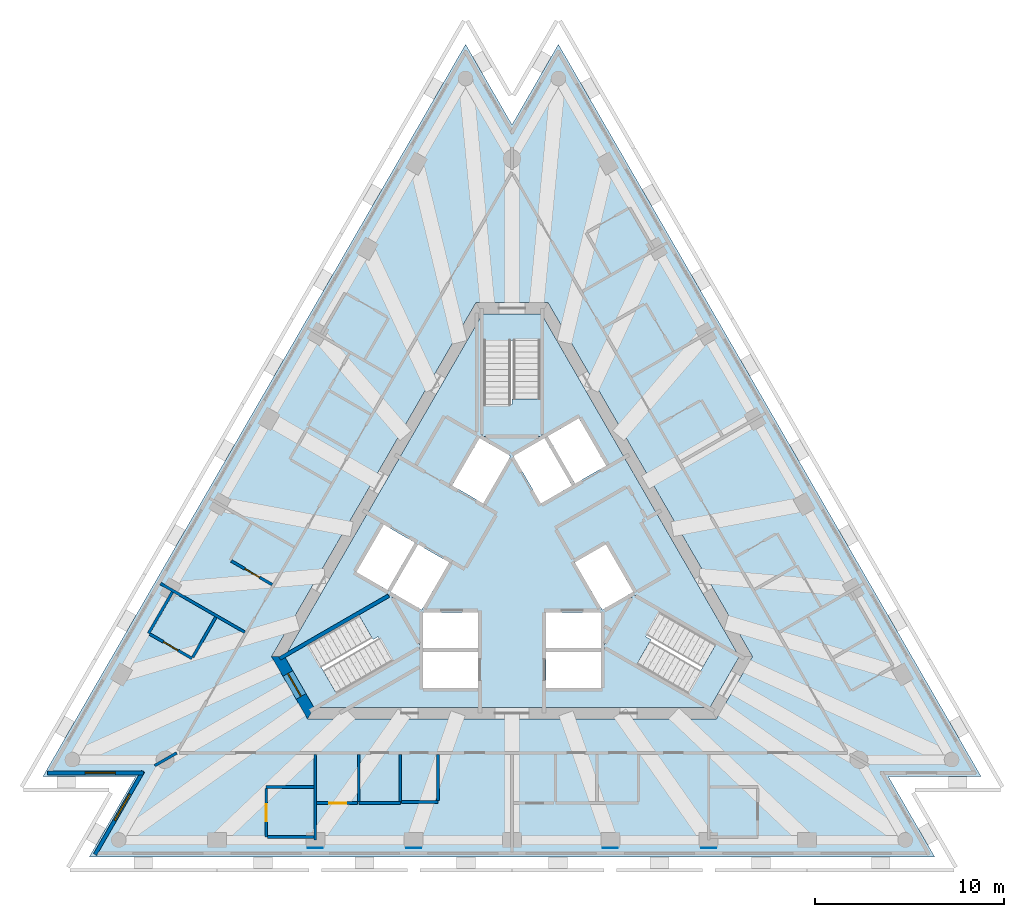
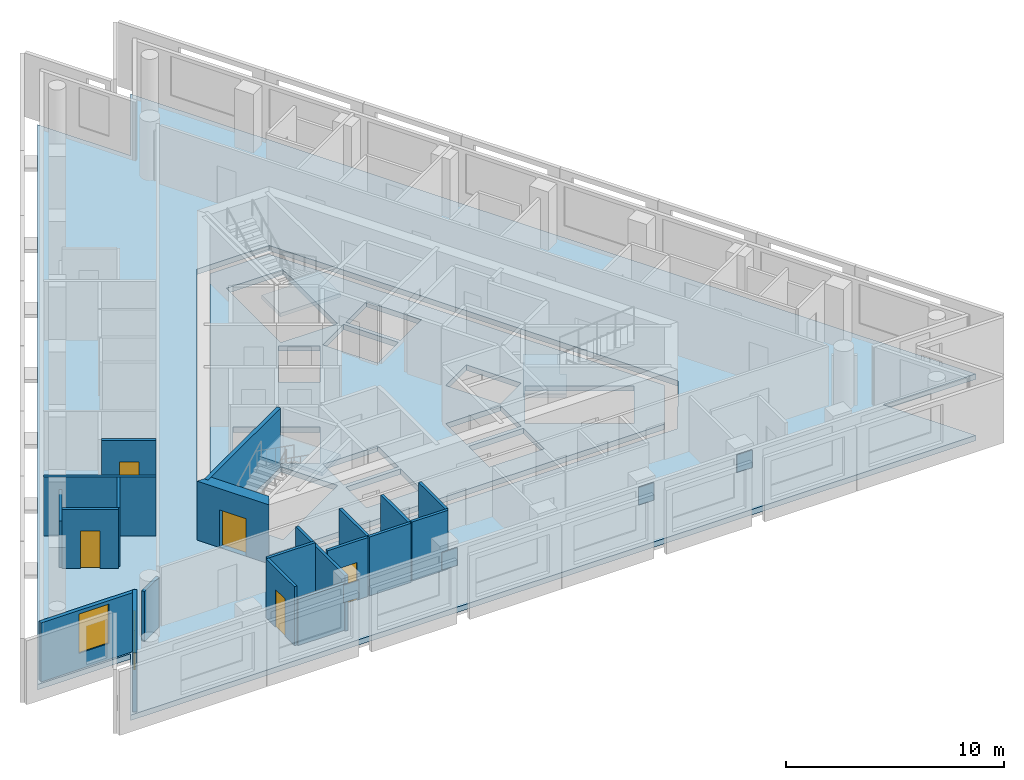
# One storey, part 2 of 10: 20 walls, 5 doors, 5 slabs, 4 plates, 2 windows, 7 openings, 3 elements without a shape of their own.
"""IFC4 building model written with IfcOpenShell, lengths in metres."""

from ifc_helpers import new_model, si_unit, direction, frame, frame_2d, origin, origin_2d, place, context, subcontext, project, spatial, polyline, rectangle, outline, extrude, material, layer, layer_set, layer_usage, type_object, element, fill, aggregate, save


model = new_model("IFC4")

# Units and contexts
model_context = context("Model", 3, precision=1e-05, world=origin(), true_north=direction((0.0, 1.0)))
body_context = subcontext(model_context, "Body", "Model", "MODEL_VIEW")
ifc_project = project(units=[si_unit("LENGTHUNIT", "METRE"), si_unit("AREAUNIT", "SQUARE_METRE"), si_unit("VOLUMEUNIT", "CUBIC_METRE"), si_unit("PLANEANGLEUNIT", "RADIAN"), si_unit("MASSUNIT", "GRAM", prefix="KILO")], contexts=[model_context])

# Site, building, storey
site_placement = place(None, origin())
site = spatial("IfcSite", under=ifc_project, at=site_placement, CompositionType="ELEMENT")
building_placement = place(site_placement, origin())
building = spatial("IfcBuilding", under=site, at=building_placement, Name="Triada Interchange Tower", CompositionType="ELEMENT")
storey_placement = place(building_placement, frame((0.0, 0.0, 315.10009765625)))
storey = spatial("IfcBuildingStorey", under=building, at=storey_placement, Name="L75", CompositionType="ELEMENT", Elevation=315.10009765625)

# Slabs
ifc_material_1 = material(Name="Concrete C50/60", Category="concrete")
ifc_layer_1 = layer(ifc_material_1, 0.300048828125)
ifc_layer_set_1 = layer_set([ifc_layer_1], Name="Floor slab 300")
slab_type_1 = type_object("IfcSlabType", Name="Floor slab 300", PredefinedType="FLOOR", material=ifc_layer_set_1)
slab_1_placement = place(storey_placement, frame((0.0, 0.0, -0.300048828125)))
element("IfcSlab", 1, at=slab_1_placement, inside=storey, type_object=slab_type_1, Name="Floor slab L75", PredefinedType="FLOOR", context=body_context, shape_type="SweptSolid", body=[
    extrude(outline(polyline([(-2.45703125, 27.27001953125), (-24.844970703125, -11.507080078125), (-19.930908203125, -11.507080078125), (-22.387939453125, -15.762939453125), (22.387939453125, -15.762939453125), (19.930908203125, -11.507080078125), (24.844970703125, -11.507080078125), (2.45703125, 27.27001953125), (0.0, 23.013916015625), (-2.45703125, 27.27001953125)]), holes=[polyline([(1.905029296875, 13.60009765625), (-1.905029296875, 13.60009765625), (-12.73095703125, -5.14990234375), (-10.824951171875, -8.449951171875), (10.824951171875, -8.449951171875), (12.73095703125, -5.14990234375), (1.905029296875, 13.60009765625)])]), origin(), (0.0, 0.0, 1.0), 0.300048828125),
])
slab_2_placement = place(storey_placement, frame((0.0, 0.0, -0.300048828125)))
element("IfcSlab", 2, at=slab_2_placement, inside=storey, type_object=slab_type_1, Name="Core floor slab L75 1", PredefinedType="FLOOR", context=body_context, shape_type="SweptSolid", body=[
    extrude(outline(polyline([(12.0380859375, -5.14990234375), (10.47900390625, -7.85009765625), (-10.47900390625, -7.85009765625), (-12.0380859375, -5.14990234375), (-1.55908203125, 13.0), (1.55908203125, 13.0), (12.0380859375, -5.14990234375)]), holes=[polyline([(9.2958984375, -7.09912109375), (10.7958984375, -4.5009765625), (6.466064453125, -2.0009765625), (4.966064453125, -4.59912109375), (9.2958984375, -7.09912109375)]), polyline([(4.969970703125, 0.791015625), (3.324951171875, -0.158935546875), (4.77490234375, -2.669921875), (6.419921875, -1.719970703125), (4.969970703125, 0.791015625)]), polyline([(1.89404296875, 6.52001953125), (3.343994140625, 4.009033203125), (4.989013671875, 4.958984375), (3.5390625, 7.469970703125), (1.89404296875, 6.52001953125)]), polyline([(1.800048828125, -4.89990234375), (1.800048828125, -6.4990234375), (1.800048828125, -6.800048828125), (4.699951171875, -6.800048828125), (4.699951171875, -4.89990234375), (1.800048828125, -4.89990234375)]), polyline([(4.699951171875, -2.800048828125), (1.800048828125, -2.800048828125), (1.800048828125, -4.699951171875), (4.699951171875, -4.699951171875), (4.699951171875, -2.800048828125)]), polyline([(1.52490234375, 2.958984375), (2.594970703125, 3.576904296875), (3.169921875, 3.908935546875), (1.719970703125, 6.419921875), (0.074951171875, 5.469970703125), (1.52490234375, 2.958984375)]), polyline([(-1.5, 11.60009765625), (-1.5, 6.60009765625), (1.5, 6.60009765625), (1.5, 11.60009765625), (-1.5, 11.60009765625)]), polyline([(-1.52490234375, 2.958984375), (-0.074951171875, 5.469970703125), (-1.719970703125, 6.419921875), (-3.169921875, 3.908935546875), (-1.52490234375, 2.958984375)]), polyline([(-1.800048828125, -2.800048828125), (-4.699951171875, -2.800048828125), (-4.699951171875, -4.699951171875), (-1.800048828125, -4.699951171875), (-1.800048828125, -2.800048828125)]), polyline([(-4.699951171875, -6.800048828125), (-1.800048828125, -6.800048828125), (-1.800048828125, -6.4990234375), (-1.800048828125, -4.89990234375), (-4.699951171875, -4.89990234375), (-4.699951171875, -6.800048828125)]), polyline([(-3.427978515625, -0.09912109375), (-4.969970703125, 0.791015625), (-6.419921875, -1.719970703125), (-4.77490234375, -2.669921875), (-3.324951171875, -0.158935546875), (-3.427978515625, -0.09912109375)]), polyline([(-10.7958984375, -4.5009765625), (-9.2958984375, -7.09912109375), (-4.966064453125, -4.59912109375), (-6.466064453125, -2.0009765625), (-10.7958984375, -4.5009765625)]), polyline([(-6.593994140625, -1.6201171875), (-5.14404296875, 0.89111328125), (-6.7890625, 1.841064453125), (-8.239013671875, -0.669921875), (-6.593994140625, -1.6201171875)])]), origin(), (0.0, 0.0, 1.0), 0.300048828125),
])

# Plates
ifc_material_2 = material(Name="Steel S460M", Category="steel")
ifc_layer_2 = layer(ifc_material_2, 0.0400390625)
ifc_layer_set_2 = layer_set([ifc_layer_2], Name="Pool strut end plate 40")
plate_type = type_object("IfcPlateType", Name="Pool strut end plate 40", PredefinedType="SHEET", material=ifc_layer_set_2)
for number, where, z_axis, x_axis, name in (
    (3, (-10.4140625, -15.282958984375, 1.968017578125), (0.0, 0.0, 1.0), (0.0, -1.0, 0.0), "Pool strut end plate 1"),
    (4, (-5.20703125, -15.282958984375, 1.968017578125), (0.0, 0.0, 1.0), (0.0, -1.0, 0.0), "Pool strut end plate 2"),
    (5, (5.20703125, -15.282958984375, 1.968017578125), (0.0, 0.0, 1.0), (0.0, -1.0, 0.0), "Pool strut end plate 3"),
    (6, (10.4140625, -15.282958984375, 1.968017578125), (0.0, 0.0, 1.0), (0.0, -1.0, 0.0), "Pool strut end plate 4"),
):
    element("IfcPlate", number, at=place(storey_placement, frame(where, z_axis=z_axis, x_axis=x_axis)), inside=storey, type_object=plate_type, Name=name, PredefinedType="SHEET", context=body_context, shape_type="SweptSolid", body=[
        extrude(rectangle(XDim=0.0400390625, YDim=0.80810546875, at=origin_2d()), origin(), (0.0, 0.0, 1.0), 0.98388671875),
    ])

# Stair, slab
ifc_material_3 = material(Name="Concrete C35/45", Category="concrete")
stair_type = type_object("IfcStairType", Name="HALF TURN STAIR 1400", PredefinedType="HALF_TURN_STAIR", material=ifc_material_3)
stair_1_placement = place(storey_placement, origin())
stair_1 = element("IfcStair", 7, at=stair_1_placement, inside=storey, type_object=stair_type, Name="Exit stair S74-1", PredefinedType="HALF_TURN_STAIR")
ifc_layer_3 = layer(ifc_material_3, 0.199951171875)
ifc_layer_set_3 = layer_set([ifc_layer_3], Name="STAIR LANDING 200")
slab_type_2 = type_object("IfcSlabType", Name="STAIR LANDING 200", PredefinedType="LANDING", material=ifc_layer_set_3)
slab_3_placement = place(storey_placement, frame((0.0, 0.0, 1.521484375)))
slab_3 = element("IfcSlab", 8, at=slab_3_placement, type_object=slab_type_2, Name="S74-1 landing 1", PredefinedType="LANDING", context=body_context, shape_type="SweptSolid", body=[
    extrude(outline(polyline([(1.60009765625, 6.5), (1.60009765625, 8.5), (0.0, 8.5), (0.0, 8.18994140625), (-1.60009765625, 8.18994140625), (-1.60009765625, 6.5), (1.60009765625, 6.5)])), origin(), (0.0, 0.0, 1.0), 0.2001953125),
])
aggregate(stair_1, [slab_3])

stair_2_placement = place(storey_placement, origin())
stair_2 = element("IfcStair", 9, at=stair_2_placement, inside=storey, type_object=stair_type, Name="Exit stair S74-2", PredefinedType="HALF_TURN_STAIR")
slab_4_placement = place(storey_placement, frame((0.0, 0.0, 1.521484375)))
slab_4 = element("IfcSlab", 10, at=slab_4_placement, type_object=slab_type_2, Name="S74-2 landing 1", PredefinedType="LANDING", context=body_context, shape_type="SweptSolid", body=[
    extrude(outline(polyline([(-6.428955078125, -1.864013671875), (-8.160888671875, -2.864013671875), (-7.361083984375, -4.25), (-7.093017578125, -4.094970703125), (-6.29296875, -5.48095703125), (-4.8291015625, -4.635986328125), (-6.428955078125, -1.864013671875)])), origin(), (0.0, 0.0, 1.0), 0.2001953125),
])
aggregate(stair_2, [slab_4])

stair_3_placement = place(storey_placement, origin())
stair_3 = element("IfcStair", 11, at=stair_3_placement, inside=storey, type_object=stair_type, Name="Exit stair S74-3", PredefinedType="HALF_TURN_STAIR")
slab_5_placement = place(storey_placement, frame((0.0, 0.0, 1.521484375)))
slab_5 = element("IfcSlab", 12, at=slab_5_placement, type_object=slab_type_2, Name="S74-3 landing 1", PredefinedType="LANDING", context=body_context, shape_type="SweptSolid", body=[
    extrude(outline(polyline([(4.8291015625, -4.635986328125), (6.56103515625, -5.635986328125), (7.361083984375, -4.25), (7.093017578125, -4.094970703125), (7.89306640625, -2.708984375), (6.428955078125, -1.864013671875), (4.8291015625, -4.635986328125)])), origin(), (0.0, 0.0, 1.0), 0.2001953125),
])
aggregate(stair_3, [slab_5])

# Wall
ifc_material_4 = material(Name="Concrete C30/37", Category="concrete")
ifc_layer_4 = layer(ifc_material_4, 0.199951171875)
ifc_layer_set_4 = layer_set([ifc_layer_4], Name="CORE WALL 200 REI 240")
wall_type_1 = type_object("IfcWallType", Name="CORE WALL 200 REI 240", PredefinedType="SOLIDWALL", material=ifc_layer_set_4)
wall_1_placement = place(storey_placement, frame((-12.301025390625, -5.25390625, 0.0), z_axis=(0.0, 0.0, 1.0), x_axis=(0.866068467981, 0.499925403204, 0.0)))
element("IfcWall", 13, at=wall_1_placement, inside=storey, type_object=wall_type_1, Name="Wall L74 110", PredefinedType="SOLIDWALL", context=body_context, shape_type="SweptSolid", body=[
    extrude(rectangle(XDim=6.66455078125, YDim=0.199951171875, at=frame_2d((3.332275390625, 0.0))), origin(), (0.0, 0.0, 1.0), 3.2998046875),
])

# Wall, opening, door
ifc_material_5 = material(Name="Concrete C40/50", Category="concrete")
ifc_layer_5 = layer(ifc_material_5, 0.60009765625)
ifc_layer_set_5 = layer_set([ifc_layer_5], Name="Core wall D 600")
wall_type_2 = type_object("IfcWallType", Name="Core wall D 600", PredefinedType="SHEAR", material=ifc_layer_set_5)
wall_2_placement = place(storey_placement, frame((-12.384033203125, -5.14990234375, -0.300048828125), z_axis=(0.0, 0.0, 1.0), x_axis=(0.49997462182, -0.866040055388, 0.0)))
wall_2 = element("IfcWall", 14, at=wall_2_placement, inside=storey, type_object=wall_type_2, Name="Core wall WD03 L75", PredefinedType="SHEAR", context=body_context, shape_type="SweptSolid", body=[
    extrude(outline(polyline([(-0.173095703125, -0.301025390625), (1.73193359375, -0.300537109375), (3.636962890625, -0.300048828125), (3.291015625, 0.300048828125), (1.73193359375, 0.300048828125), (0.173095703125, 0.300048828125), (-0.173095703125, -0.301025390625)])), origin(), (0.0, 0.0, 1.0), 3.599853515625),
])
opening_1_placement = place(wall_2_placement, frame((1.031982421875, 0.0, 0.300048828125)))
opening_1 = element("IfcOpeningElement", 15, at=opening_1_placement, cuts=wall_2, Name="Opening D74-47", PredefinedType="OPENING", context=body_context, shape_type="SweptSolid", body=[
    extrude(rectangle(XDim=1.39990234375, YDim=2.10009765625, at=frame_2d((0.699951171875, 1.050048828125))), frame((0.0, 0.31005859375, 0.0), z_axis=(0.0, -1.0, 0.0), x_axis=(1.0, 0.0, 0.0)), (0.0, 0.0, 1.0), 0.62109375),
])
ifc_material_6 = material(Name="Steel S235 door leaf", Category="steel")
door_type_1 = type_object("IfcDoorType", Name="STAIR DOOR 1400 EI2 90-C5S200", OperationType="DOUBLE_DOOR_SINGLE_SWING", PredefinedType="DOOR", material=ifc_material_6)
door_1_placement = place(opening_1_placement, origin())
door_1 = element("IfcDoor", 16, at=door_1_placement, inside=storey, type_object=door_type_1, Name="Door D74-47 L75", OperationType="DOUBLE_DOOR_SINGLE_SWING", OverallHeight=2.10009765625, OverallWidth=1.39990234375, PredefinedType="DOOR", context=body_context, shape_type="SweptSolid", body=[
    extrude(rectangle(XDim=1.39990234375, YDim=2.10009765625, at=frame_2d((0.699951171875, 1.050048828125))), frame((0.0, 0.02490234375, 0.0), z_axis=(0.0, -1.0, 0.0), x_axis=(1.0, 0.0, 0.0)), (0.0, 0.0, 1.0), 0.050048828125),
])
fill(opening_1, door_1)

# Wall, opening, window
ifc_material_7 = material(Name="Cement board")
ifc_layer_6 = layer(ifc_material_7, 0.02001953125, Name="Cement board cladding")
ifc_material_8 = material(Name="Sheathing board")
ifc_layer_7 = layer(ifc_material_8, 0.014892578125, Name="Sheathing board")
ifc_material_9 = material(Name="Mineral wool")
ifc_layer_8 = layer(ifc_material_9, 0.14990234375, Name="Mineral wool between steel studs")
ifc_material_10 = material(Name="Gypsum board")
ifc_layer_9 = layer(ifc_material_10, 0.014892578125, Name="Plasterboard lining")
ifc_layer_set_6 = layer_set([ifc_layer_6, ifc_layer_7, ifc_layer_8, ifc_layer_9], Name="External wall 200")
ifc_layer_usage = layer_usage(ifc_layer_set_6, "AXIS2", "POSITIVE", -0.10009765625)
wall_type_3 = type_object("IfcWallType", Name="External wall 200", PredefinedType="ELEMENTEDWALL", material=ifc_layer_set_6)
wall_3_placement = place(storey_placement, frame((-24.589111328125, -11.306884765625, 0.0), z_axis=(0.0, 0.0, 1.0), x_axis=(1.0, 0.0, 0.0)))
wall_3 = element("IfcWall", 17, at=wall_3_placement, inside=storey, type_object=wall_type_3, material=ifc_layer_usage, Name="External wall L75 SW-1", PredefinedType="ELEMENTEDWALL", context=body_context, shape_type="SweptSolid", body=[
    extrude(rectangle(XDim=5.07421875, YDim=0.199951171875, at=frame_2d((2.537109375, 0.0))), origin(), (0.0, 0.0, 1.0), 3.2998046875),
])
opening_2_placement = place(wall_3_placement, frame((1.989990234375, 0.0, 0.89990234375)))
opening_2 = element("IfcOpeningElement", 18, at=opening_2_placement, cuts=wall_3, Name="Opening WD09", PredefinedType="OPENING", context=body_context, shape_type="SweptSolid", body=[
    extrude(rectangle(XDim=1.60009765625, YDim=2.199951171875, at=frame_2d((0.800048828125, 1.10009765625))), frame((0.0, 0.10986328125, 0.0), z_axis=(0.0, -1.0, 0.0), x_axis=(1.0, 0.0, 0.0)), (0.0, 0.0, 1.0), 0.219970703125),
])
ifc_material_11 = material(Name="Double glazed aluminium window", Category="aluminium")
window_type = type_object("IfcWindowType", Name="Ribbon window D pocket", PartitioningType="SINGLE_PANEL", PredefinedType="WINDOW", material=ifc_material_11)
window_1_placement = place(opening_2_placement, origin())
window_1 = element("IfcWindow", 19, at=window_1_placement, inside=storey, type_object=window_type, Name="Window L75 SW-1 1", OverallHeight=2.199951171875, OverallWidth=1.60009765625, PartitioningType="SINGLE_PANEL", PredefinedType="WINDOW", context=body_context, shape_type="SweptSolid", body=[
    extrude(rectangle(XDim=1.60009765625, YDim=2.199951171875, at=frame_2d((0.800048828125, 1.10009765625))), frame((0.0, 0.030029296875, 0.0), z_axis=(0.0, -1.0, 0.0), x_axis=(1.0, 0.0, 0.0)), (0.0, 0.0, 1.0), 0.06005859375),
])
fill(opening_2, window_1)

wall_4_placement = place(storey_placement, frame((-19.5400390625, -11.22900390625, 0.0), z_axis=(0.0, 0.0, 1.0), x_axis=(-0.499911250765, -0.866076637116, 0.0)))
wall_4 = element("IfcWall", 20, at=wall_4_placement, inside=storey, type_object=wall_type_3, material=ifc_layer_usage, Name="External wall L75 SW-2", PredefinedType="ELEMENTEDWALL", context=body_context, shape_type="SweptSolid", body=[
    extrude(rectangle(XDim=5.07470703125, YDim=0.199951171875, at=frame_2d((2.537353515625, 0.0))), origin(), (0.0, 0.0, 1.0), 3.2998046875),
])
opening_3_placement = place(wall_4_placement, frame((1.389892578125, 0.0, 0.89990234375)))
opening_3 = element("IfcOpeningElement", 21, at=opening_3_placement, cuts=wall_4, Name="Opening WD10", PredefinedType="OPENING", context=body_context, shape_type="SweptSolid", body=[
    extrude(rectangle(XDim=1.60009765625, YDim=2.199951171875, at=frame_2d((0.800048828125, 1.10009765625))), frame((0.0, 0.10986328125, 0.0), z_axis=(0.0, -1.0, 0.0), x_axis=(1.0, 0.0, 0.0)), (0.0, 0.0, 1.0), 0.219970703125),
])
window_2_placement = place(opening_3_placement, origin())
window_2 = element("IfcWindow", 22, at=window_2_placement, inside=storey, type_object=window_type, Name="Window L75 SW-2 1", OverallHeight=2.199951171875, OverallWidth=1.60009765625, PartitioningType="SINGLE_PANEL", PredefinedType="WINDOW", context=body_context, shape_type="SweptSolid", body=[
    extrude(rectangle(XDim=1.60009765625, YDim=2.199951171875, at=frame_2d((0.800048828125, 1.10009765625))), frame((0.0, 0.030029296875, 0.0), z_axis=(0.0, -1.0, 0.0), x_axis=(1.0, 0.0, 0.0)), (0.0, 0.0, 1.0), 0.06005859375),
])
fill(opening_3, window_2)

# Walls
ifc_material_12 = material(Name="Gypsum board partition")
ifc_layer_10 = layer(ifc_material_12, 0.14990234375)
ifc_layer_set_7 = layer_set([ifc_layer_10], Name="PARTITION 150 EI 180")
wall_type_4 = type_object("IfcWallType", Name="PARTITION 150 EI 180", PredefinedType="PARTITIONING", material=ifc_layer_set_7)
wall_5_placement = place(storey_placement, frame((-18.908935546875, -10.9169921875, 0.0), z_axis=(0.0, 0.0, 1.0), x_axis=(0.865847470378, 0.500308063137, 0.0)))
element("IfcWall", 23, at=wall_5_placement, inside=storey, type_object=wall_type_4, Name="Wall L74 1", PredefinedType="PARTITIONING", context=body_context, shape_type="SweptSolid", body=[
    extrude(rectangle(XDim=1.335205078125, YDim=0.14990234375, at=frame_2d((0.66748046875, 0.0))), origin(), (0.0, 0.0, 1.0), 2.7998046875),
])
wall_6_placement = place(storey_placement, frame((-18.615966796875, -1.278076171875, 0.0), z_axis=(0.0, 0.0, 1.0), x_axis=(0.86604134632, -0.499972385701, 0.0)))
element("IfcWall", 24, at=wall_6_placement, inside=storey, type_object=wall_type_4, Name="Wall L74 3", PredefinedType="PARTITIONING", context=body_context, shape_type="SweptSolid", body=[
    extrude(rectangle(XDim=5.157958984375, YDim=0.14990234375, at=frame_2d((2.5791015625, 0.0))), origin(), (0.0, 0.0, 1.0), 3.2998046875),
])
wall_7_placement = place(storey_placement, frame((-10.4140625, -14.85791015625, 0.0), z_axis=(0.0, 0.0, 1.0), x_axis=(0.0, 1.0, 0.0)))
element("IfcWall", 25, at=wall_7_placement, inside=storey, type_object=wall_type_4, Name="Wall L74 12", PredefinedType="PARTITIONING", context=body_context, shape_type="SweptSolid", body=[
    extrude(rectangle(XDim=4.532958984375, YDim=0.14990234375, at=frame_2d((2.2666015625, 0.0))), origin(), (0.0, 0.0, 1.0), 3.099853515625),
])
wall_8_placement = place(storey_placement, frame((-8.114013671875, -12.906005859375, 0.0), z_axis=(0.0, 0.0, 1.0), x_axis=(1.0, 0.0, 0.0)))
element("IfcWall", 26, at=wall_8_placement, inside=storey, type_object=wall_type_4, Name="Wall L74 14", PredefinedType="PARTITIONING", context=body_context, shape_type="SweptSolid", body=[
    extrude(rectangle(XDim=2.199951171875, YDim=0.14990234375, at=frame_2d((1.10009765625, 0.0))), origin(), (0.0, 0.0, 1.0), 3.2998046875),
])
for number, where, z_axis, x_axis, name in (
    (27, (-5.9140625, -12.83203125, 0.0), (0.0, 0.0, 1.0), (0.0, 1.0, 0.0), "Wall L74 16"),
    (28, (-8.114013671875, -12.83203125, 0.0), (0.0, 0.0, 1.0), (0.0, 1.0, 0.0), "Wall L74 17"),
):
    element("IfcWall", number, at=place(storey_placement, frame(where, z_axis=z_axis, x_axis=x_axis)), inside=storey, type_object=wall_type_4, Name=name, PredefinedType="PARTITIONING", context=body_context, shape_type="SweptSolid", body=[
        extrude(rectangle(XDim=2.507080078125, YDim=0.14990234375, at=frame_2d((1.25341796875, 0.0))), origin(), (0.0, 0.0, 1.0), 3.2998046875),
    ])
wall_9_placement = place(storey_placement, frame((-5.839111328125, -12.85009765625, 0.0), z_axis=(0.0, 0.0, 1.0), x_axis=(1.0, 0.0, 0.0)))
element("IfcWall", 29, at=wall_9_placement, inside=storey, type_object=wall_type_4, Name="Wall L74 18", PredefinedType="PARTITIONING", context=body_context, shape_type="SweptSolid", body=[
    extrude(rectangle(XDim=1.925048828125, YDim=0.14990234375, at=frame_2d((0.96240234375, 0.0))), origin(), (0.0, 0.0, 1.0), 3.2998046875),
])
wall_10_placement = place(storey_placement, frame((-3.9140625, -12.77490234375, 0.0), z_axis=(0.0, 0.0, 1.0), x_axis=(0.0, 1.0, 0.0)))
element("IfcWall", 30, at=wall_10_placement, inside=storey, type_object=wall_type_4, Name="Wall L74 19", PredefinedType="PARTITIONING", context=body_context, shape_type="SweptSolid", body=[
    extrude(rectangle(XDim=2.449951171875, YDim=0.14990234375, at=frame_2d((1.22509765625, 0.0))), origin(), (0.0, 0.0, 1.0), 3.2998046875),
])
ifc_layer_11 = layer(ifc_material_12, 0.14990234375)
ifc_layer_set_8 = layer_set([ifc_layer_11], Name="PARTITION 150 EI 90")
wall_type_5 = type_object("IfcWallType", Name="PARTITION 150 EI 90", PredefinedType="PARTITIONING", material=ifc_layer_set_8)
wall_11_placement = place(storey_placement, frame((-19.243896484375, -3.91796875, 0.0), z_axis=(0.0, 0.0, 1.0), x_axis=(0.500079482444, 0.865979509711, 0.0)))
element("IfcWall", 31, at=wall_11_placement, inside=storey, type_object=wall_type_5, Name="Wall L74 31", PredefinedType="PARTITIONING", context=body_context, shape_type="SweptSolid", body=[
    extrude(rectangle(XDim=2.525390625, YDim=0.14990234375, at=frame_2d((1.2626953125, 0.0))), origin(), (0.0, 0.0, 1.0), 2.599853515625),
])

# Wall, opening, door
wall_12_placement = place(storey_placement, frame((-19.178955078125, -3.955078125, 0.0), z_axis=(0.0, 0.0, 1.0), x_axis=(0.865999760466, -0.500044412901, 0.0)))
wall_12 = element("IfcWall", 32, at=wall_12_placement, inside=storey, type_object=wall_type_5, Name="Wall L74 33", PredefinedType="PARTITIONING", context=body_context, shape_type="SweptSolid", body=[
    extrude(rectangle(XDim=2.581787109375, YDim=0.14990234375, at=frame_2d((1.291015625, 0.0))), origin(), (0.0, 0.0, 1.0), 3.2998046875),
])
opening_4_placement = place(wall_12_placement, frame((0.83203125, 0.0, 0.0)))
opening_4 = element("IfcOpeningElement", 33, at=opening_4_placement, cuts=wall_12, Name="Opening D74-44", PredefinedType="OPENING", context=body_context, shape_type="SweptSolid", body=[
    extrude(rectangle(XDim=0.89990234375, YDim=2.10009765625, at=frame_2d((0.449951171875, 1.050048828125))), frame((0.0, 0.0849609375, 0.0), z_axis=(0.0, -1.0, 0.0), x_axis=(1.0, 0.0, 0.0)), (0.0, 0.0, 1.0), 0.169921875),
])
door_type_2 = type_object("IfcDoorType", Name="ROOM DOOR 900 EI2 45-C5S200", OperationType="NOTDEFINED", PredefinedType="DOOR", material=ifc_material_6)
door_2_placement = place(opening_4_placement, origin())
door_2 = element("IfcDoor", 34, at=door_2_placement, inside=storey, type_object=door_type_2, Name="Door D74-44 L75", OperationType="SINGLE_SWING_LEFT", OverallHeight=2.10009765625, OverallWidth=0.89990234375, PredefinedType="DOOR", context=body_context, shape_type="SweptSolid", body=[
    extrude(rectangle(XDim=0.89990234375, YDim=2.10009765625, at=frame_2d((0.449951171875, 1.050048828125))), frame((0.0, 0.02490234375, 0.0), z_axis=(0.0, -1.0, 0.0), x_axis=(1.0, 0.0, 0.0)), (0.0, 0.0, 1.0), 0.050048828125),
])
fill(opening_4, door_2)

# Wall
wall_13_placement = place(storey_placement, frame((-16.905029296875, -5.180908203125, 0.0), z_axis=(0.0, 0.0, 1.0), x_axis=(0.500018594424, 0.866014668023, 0.0)))
element("IfcWall", 35, at=wall_13_placement, inside=storey, type_object=wall_type_5, Name="Wall L74 34", PredefinedType="PARTITIONING", context=body_context, shape_type="SweptSolid", body=[
    extrude(rectangle(XDim=2.4501953125, YDim=0.14990234375, at=frame_2d((1.22509765625, 0.0))), origin(), (0.0, 0.0, 1.0), 3.2998046875),
])

# Wall, opening, door
wall_14_placement = place(storey_placement, frame((-14.865966796875, -0.0849609375, 0.0), z_axis=(0.0, 0.0, 1.0), x_axis=(0.865890381195, -0.500233793095, 0.0)))
wall_14 = element("IfcWall", 36, at=wall_14_placement, inside=storey, type_object=wall_type_5, Name="Wall L74 38", PredefinedType="PARTITIONING", context=body_context, shape_type="SweptSolid", body=[
    extrude(rectangle(XDim=2.507080078125, YDim=0.14990234375, at=frame_2d((1.25341796875, 0.0))), origin(), (0.0, 0.0, 1.0), 3.2998046875),
])
opening_5_placement = place(wall_14_placement, frame((0.83203125, 0.0, 0.0)))
opening_5 = element("IfcOpeningElement", 37, at=opening_5_placement, cuts=wall_14, Name="Opening D74-42", PredefinedType="OPENING", context=body_context, shape_type="SweptSolid", body=[
    extrude(rectangle(XDim=0.89990234375, YDim=2.10009765625, at=frame_2d((0.449951171875, 1.050048828125))), frame((0.0, 0.0849609375, 0.0), z_axis=(0.0, -1.0, 0.0), x_axis=(1.0, 0.0, 0.0)), (0.0, 0.0, 1.0), 0.169921875),
])
door_3_placement = place(opening_5_placement, origin())
door_3 = element("IfcDoor", 38, at=door_3_placement, inside=storey, type_object=door_type_2, Name="Door D74-42 L75", OperationType="SINGLE_SWING_RIGHT", OverallHeight=2.10009765625, OverallWidth=0.89990234375, PredefinedType="DOOR", context=body_context, shape_type="SweptSolid", body=[
    extrude(rectangle(XDim=0.89990234375, YDim=2.10009765625, at=frame_2d((0.449951171875, 1.050048828125))), frame((0.0, 0.02490234375, 0.0), z_axis=(0.0, -1.0, 0.0), x_axis=(1.0, 0.0, 0.0)), (0.0, 0.0, 1.0), 0.050048828125),
])
fill(opening_5, door_3)

# Wall
wall_15_placement = place(storey_placement, frame((-13.013916015625, -12.050048828125, 0.0), z_axis=(0.0, 0.0, 1.0), x_axis=(1.0, 0.0, 0.0)))
element("IfcWall", 39, at=wall_15_placement, inside=storey, type_object=wall_type_5, Name="Wall L74 39", PredefinedType="PARTITIONING", context=body_context, shape_type="SweptSolid", body=[
    extrude(rectangle(XDim=2.52490234375, YDim=0.14990234375, at=frame_2d((1.262451171875, 0.0))), origin(), (0.0, 0.0, 1.0), 3.2998046875),
])

# Wall, opening, door
wall_16_placement = place(storey_placement, frame((-13.013916015625, -14.7060546875, 0.0), z_axis=(0.0, 0.0, 1.0), x_axis=(0.0, 1.0, 0.0)))
wall_16 = element("IfcWall", 40, at=wall_16_placement, inside=storey, type_object=wall_type_5, Name="Wall L74 41", PredefinedType="PARTITIONING", context=body_context, shape_type="SweptSolid", body=[
    extrude(rectangle(XDim=2.5810546875, YDim=0.14990234375, at=frame_2d((1.29052734375, 0.0))), origin(), (0.0, 0.0, 1.0), 3.2998046875),
])
opening_6_placement = place(wall_16_placement, frame((0.85009765625, 0.0, 0.0)))
opening_6 = element("IfcOpeningElement", 41, at=opening_6_placement, cuts=wall_16, Name="Opening D74-12", PredefinedType="OPENING", context=body_context, shape_type="SweptSolid", body=[
    extrude(rectangle(XDim=0.89990234375, YDim=2.10009765625, at=frame_2d((0.449951171875, 1.050048828125))), frame((0.0, 0.0849609375, 0.0), z_axis=(0.0, -1.0, 0.0), x_axis=(1.0, 0.0, 0.0)), (0.0, 0.0, 1.0), 0.169921875),
])
door_4_placement = place(opening_6_placement, origin())
door_4 = element("IfcDoor", 42, at=door_4_placement, inside=storey, type_object=door_type_2, Name="Door D74-12 L75", OperationType="SINGLE_SWING_RIGHT", OverallHeight=2.10009765625, OverallWidth=0.89990234375, PredefinedType="DOOR", context=body_context, shape_type="SweptSolid", body=[
    extrude(rectangle(XDim=0.89990234375, YDim=2.10009765625, at=frame_2d((0.449951171875, 1.050048828125))), frame((0.0, 0.02490234375, 0.0), z_axis=(0.0, -1.0, 0.0), x_axis=(1.0, 0.0, 0.0)), (0.0, 0.0, 1.0), 0.050048828125),
])
fill(opening_6, door_4)

# Wall
wall_17_placement = place(storey_placement, frame((-12.93896484375, -14.7060546875, 0.0), z_axis=(0.0, 0.0, 1.0), x_axis=(1.0, 0.0, 0.0)))
element("IfcWall", 43, at=wall_17_placement, inside=storey, type_object=wall_type_5, Name="Wall L74 42", PredefinedType="PARTITIONING", context=body_context, shape_type="SweptSolid", body=[
    extrude(rectangle(XDim=2.449951171875, YDim=0.14990234375, at=frame_2d((1.22509765625, 0.0))), origin(), (0.0, 0.0, 1.0), 2.599853515625),
])

# Wall, opening, door
wall_18_placement = place(storey_placement, frame((-10.339111328125, -12.906005859375, 0.0), z_axis=(0.0, 0.0, 1.0), x_axis=(1.0, 0.0, 0.0)))
wall_18 = element("IfcWall", 44, at=wall_18_placement, inside=storey, type_object=wall_type_5, Name="Wall L74 44", PredefinedType="PARTITIONING", context=body_context, shape_type="SweptSolid", body=[
    extrude(rectangle(XDim=2.152099609375, YDim=0.14990234375, at=frame_2d((1.076171875, 0.0))), origin(), (0.0, 0.0, 1.0), 3.2998046875),
])
opening_7_placement = place(wall_18_placement, frame((0.675048828125, 0.0, 0.0)))
opening_7 = element("IfcOpeningElement", 45, at=opening_7_placement, cuts=wall_18, Name="Opening D74-14", PredefinedType="OPENING", context=body_context, shape_type="SweptSolid", body=[
    extrude(rectangle(XDim=0.89990234375, YDim=2.10009765625, at=frame_2d((0.449951171875, 1.050048828125))), frame((0.0, 0.0849609375, 0.0), z_axis=(0.0, -1.0, 0.0), x_axis=(1.0, 0.0, 0.0)), (0.0, 0.0, 1.0), 0.169921875),
])
door_5_placement = place(opening_7_placement, origin())
door_5 = element("IfcDoor", 46, at=door_5_placement, inside=storey, type_object=door_type_2, Name="Door D74-14 L75", OperationType="SINGLE_SWING_LEFT", OverallHeight=2.10009765625, OverallWidth=0.89990234375, PredefinedType="DOOR", context=body_context, shape_type="SweptSolid", body=[
    extrude(rectangle(XDim=0.89990234375, YDim=2.10009765625, at=frame_2d((0.449951171875, 1.050048828125))), frame((0.0, 0.02490234375, 0.0), z_axis=(0.0, -1.0, 0.0), x_axis=(1.0, 0.0, 0.0)), (0.0, 0.0, 1.0), 0.050048828125),
])
fill(opening_7, door_5)

save(model, "model.ifc")
